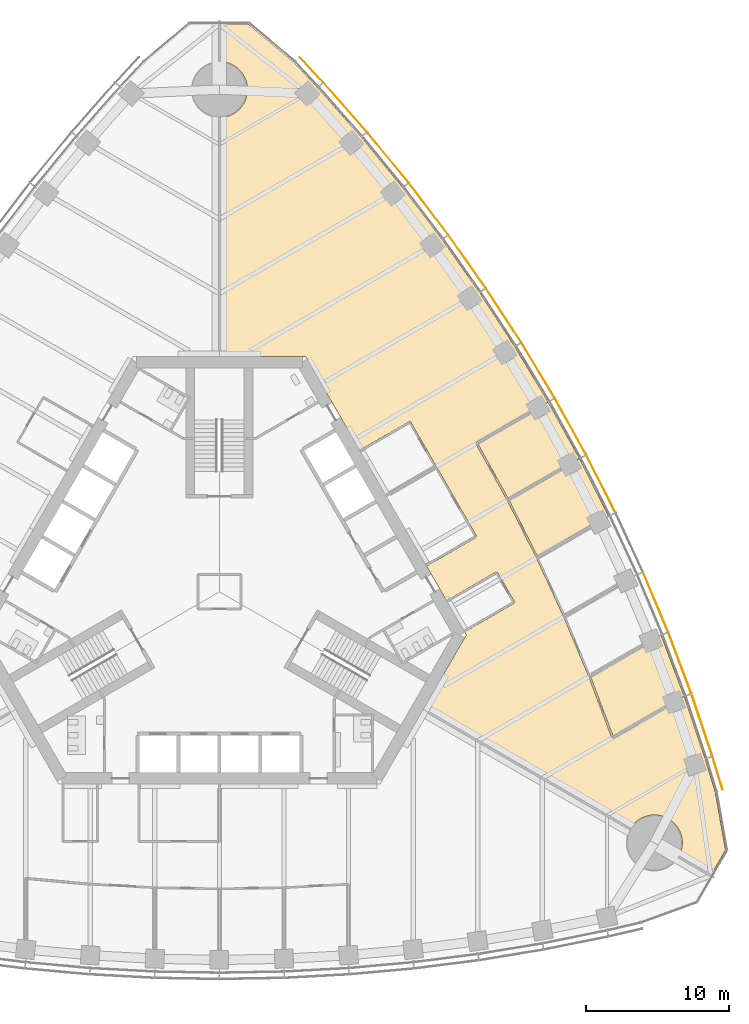
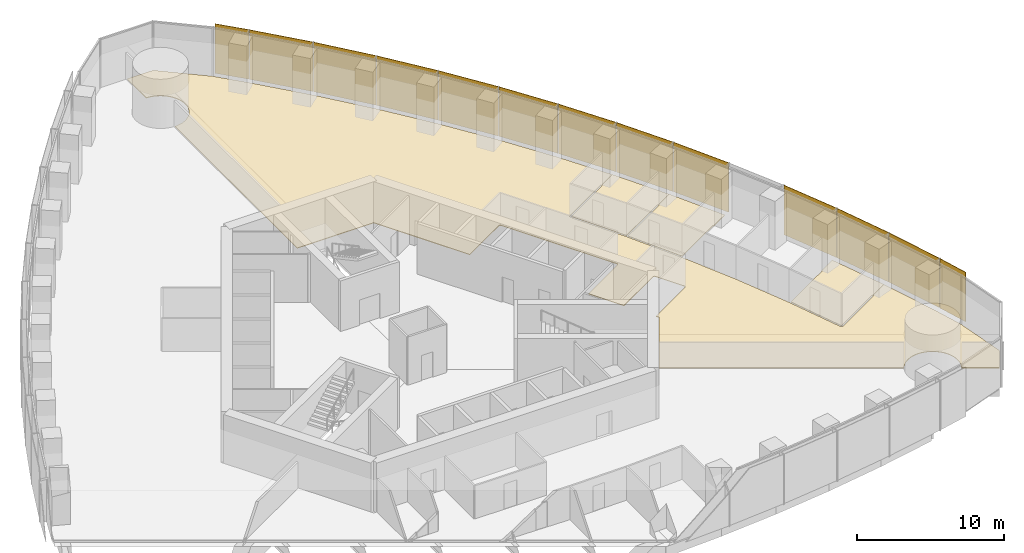
# One storey, part 17 of 19: 13 shading devices, 4 coverings.
"""IFC4 building model written with IfcOpenShell, lengths in metres."""

from ifc_helpers import new_model, si_unit, direction, frame, origin, origin_2d, place, context, subcontext, project, spatial, polyline, rectangle, outline, extrude, material, layer, layer_set, type_object, element, save


model = new_model("IFC4")

# Units and contexts
model_context = context("Model", 3, precision=1e-05, world=origin(), true_north=direction((0.0, 1.0)))
body_context = subcontext(model_context, "Body", "Model", "MODEL_VIEW")
ifc_project = project(units=[si_unit("LENGTHUNIT", "METRE"), si_unit("AREAUNIT", "SQUARE_METRE"), si_unit("VOLUMEUNIT", "CUBIC_METRE"), si_unit("PLANEANGLEUNIT", "RADIAN"), si_unit("MASSUNIT", "GRAM", prefix="KILO")], contexts=[model_context])

# Site, building, storey
site_placement = place(None, origin())
site = spatial("IfcSite", under=ifc_project, at=site_placement, CompositionType="ELEMENT")
building_placement = place(site_placement, origin())
building = spatial("IfcBuilding", under=site, at=building_placement, Name="Trefoil Bronze Tower", CompositionType="ELEMENT")
storey_placement = place(building_placement, frame((0.0, 0.0, 124.10009765625)))
storey = spatial("IfcBuildingStorey", under=building, at=storey_placement, Name="L28", CompositionType="ELEMENT", Elevation=124.10009765625)

# Shading devices
ifc_material_1 = material(Name="Perforated bronze sheet", Category="bronze")
ifc_layer_1 = layer(ifc_material_1, 0.0400390625)
ifc_layer_set_1 = layer_set([ifc_layer_1], Name="Bronze solar screen panel")
shading_device_type = type_object("IfcShadingDeviceType", Name="Bronze solar screen panel", PredefinedType="SHUTTER", material=ifc_layer_set_1)
shading_device_1_placement = place(storey_placement, frame((34.717529296875, -12.634765625, 0.0498046875), z_axis=(0.0, 0.0, 1.0), x_axis=(-0.291668676391, 0.956519410787, 0.0)))
element("IfcShadingDevice", 1, at=shading_device_1_placement, inside=storey, type_object=shading_device_type, Name="Solar screen CW-A L28 F2 bay 1", PredefinedType="SHUTTER", context=body_context, shape_type="SweptSolid", body=[
    extrude(rectangle(XDim=2.39013671875, YDim=0.0400390625, at=origin_2d()), origin(), (0.0, 0.0, 1.0), 4.10009765625),
])
shading_device_2_placement = place(storey_placement, frame((33.62890625, -9.286865234375, 0.0498046875), z_axis=(0.0, 0.0, 1.0), x_axis=(-0.318403749569, 0.947955195281, 0.0)))
element("IfcShadingDevice", 2, at=shading_device_2_placement, inside=storey, type_object=shading_device_type, Name="Solar screen CW-A L28 F2 bay 2", PredefinedType="SHUTTER", context=body_context, shape_type="SweptSolid", body=[
    extrude(rectangle(XDim=4.56103515625, YDim=0.0400390625, at=origin_2d()), origin(), (0.0, 0.0, 1.0), 4.10009765625),
])
shading_device_3_placement = place(storey_placement, frame((32.086669921875, -4.95849609375, 0.0498046875), z_axis=(0.0, 0.0, 1.0), x_axis=(-0.352919739707, 0.935653599002, 0.0)))
element("IfcShadingDevice", 3, at=shading_device_3_placement, inside=storey, type_object=shading_device_type, Name="Solar screen CW-A L28 F2 bay 3", PredefinedType="SHUTTER", context=body_context, shape_type="SweptSolid", body=[
    extrude(rectangle(XDim=4.5302734375, YDim=0.0400390625, at=origin_2d()), origin(), (0.0, 0.0, 1.0), 4.10009765625),
])
shading_device_4_placement = place(storey_placement, frame((30.3974609375, -0.715087890625, 0.0498046875), z_axis=(0.0, 0.0, 1.0), x_axis=(-0.386759234303, 0.922180727776, 0.0)))
element("IfcShadingDevice", 4, at=shading_device_4_placement, inside=storey, type_object=shading_device_type, Name="Solar screen CW-A L28 F2 bay 4", PredefinedType="SHUTTER", context=body_context, shape_type="SweptSolid", body=[
    extrude(rectangle(XDim=4.50634765625, YDim=0.0400390625, at=origin_2d()), origin(), (0.0, 0.0, 1.0), 4.10009765625),
])
shading_device_5_placement = place(storey_placement, frame((26.5869140625, 7.52197265625, 0.0498046875), z_axis=(0.0, 0.0, 1.0), x_axis=(-0.452448919686, 0.891790320128, 0.0)))
element("IfcShadingDevice", 5, at=shading_device_5_placement, inside=storey, type_object=shading_device_type, Name="Solar screen CW-A L28 F2 bay 6", PredefinedType="SHUTTER", context=body_context, shape_type="SweptSolid", body=[
    extrude(rectangle(XDim=4.4765625, YDim=0.0400390625, at=origin_2d()), origin(), (0.0, 0.0, 1.0), 4.10009765625),
])
for number, where, z_axis, x_axis, name in (
    (6, (24.468505859375, 11.517578125, 0.0498046875), (0.0, 0.0, 1.0), (-0.484312195836, 0.874895249138, 0.0), "Solar screen CW-A L28 F2 bay 7"),
    (7, (22.208740234375, 15.431396484375, 0.0498046875), (0.0, 0.0, 1.0), (-0.515525413486, 0.856874289526, 0.0), "Solar screen CW-A L28 F2 bay 8"),
):
    element("IfcShadingDevice", number, at=place(storey_placement, frame(where, z_axis=z_axis, x_axis=x_axis)), inside=storey, type_object=shading_device_type, Name=name, PredefinedType="SHUTTER", context=body_context, shape_type="SweptSolid", body=[
        extrude(rectangle(XDim=4.470703125, YDim=0.0400390625, at=origin_2d()), origin(), (0.0, 0.0, 1.0), 4.10009765625),
    ])
shading_device_6_placement = place(storey_placement, frame((19.8076171875, 19.263916015625, 0.0498046875), z_axis=(0.0, 0.0, 1.0), x_axis=(-0.546088612237, 0.837727418427, 0.0)))
element("IfcShadingDevice", 8, at=shading_device_6_placement, inside=storey, type_object=shading_device_type, Name="Solar screen CW-A L28 F2 bay 9", PredefinedType="SHUTTER", context=body_context, shape_type="SweptSolid", body=[
    extrude(rectangle(XDim=4.4765625, YDim=0.0400390625, at=origin_2d()), origin(), (0.0, 0.0, 1.0), 4.10009765625),
])
shading_device_7_placement = place(storey_placement, frame((17.264892578125, 23.014404296875, 0.0498046875), z_axis=(0.0, 0.0, 1.0), x_axis=(-0.575999283275, 0.817450197667, 0.0)))
element("IfcShadingDevice", 9, at=shading_device_7_placement, inside=storey, type_object=shading_device_type, Name="Solar screen CW-A L28 F2 bay 10", PredefinedType="SHUTTER", context=body_context, shape_type="SweptSolid", body=[
    extrude(rectangle(XDim=4.48828125, YDim=0.0400390625, at=origin_2d()), origin(), (0.0, 0.0, 1.0), 4.10009765625),
])
shading_device_8_placement = place(storey_placement, frame((14.579345703125, 26.6826171875, 0.0498046875), z_axis=(0.0, 0.0, 1.0), x_axis=(-0.605252319983, 0.796033685943, 0.0)))
element("IfcShadingDevice", 10, at=shading_device_8_placement, inside=storey, type_object=shading_device_type, Name="Solar screen CW-A L28 F2 bay 11", PredefinedType="SHUTTER", context=body_context, shape_type="SweptSolid", body=[
    extrude(rectangle(XDim=4.50634765625, YDim=0.0400390625, at=origin_2d()), origin(), (0.0, 0.0, 1.0), 4.10009765625),
])
shading_device_9_placement = place(storey_placement, frame((11.7490234375, 30.26708984375, 0.0498046875), z_axis=(0.0, 0.0, 1.0), x_axis=(-0.633839916024, 0.773464259584, 0.0)))
element("IfcShadingDevice", 11, at=shading_device_9_placement, inside=storey, type_object=shading_device_type, Name="Solar screen CW-A L28 F2 bay 12", PredefinedType="SHUTTER", context=body_context, shape_type="SweptSolid", body=[
    extrude(rectangle(XDim=4.5302734375, YDim=0.0400390625, at=origin_2d()), origin(), (0.0, 0.0, 1.0), 4.10009765625),
])
shading_device_10_placement = place(storey_placement, frame((8.77197265625, 33.766845703125, 0.0498046875), z_axis=(0.0, 0.0, 1.0), x_axis=(-0.661751405978, 0.749723333428, 0.0)))
element("IfcShadingDevice", 12, at=shading_device_10_placement, inside=storey, type_object=shading_device_type, Name="Solar screen CW-A L28 F2 bay 13", PredefinedType="SHUTTER", context=body_context, shape_type="SweptSolid", body=[
    extrude(rectangle(XDim=4.56103515625, YDim=0.0400390625, at=origin_2d()), origin(), (0.0, 0.0, 1.0), 4.10009765625),
])
shading_device_11_placement = place(storey_placement, frame((6.416748046875, 36.383544921875, 0.0498046875), z_axis=(0.0, 0.0, 1.0), x_axis=(-0.682535770759, 0.730852188636, 0.0)))
element("IfcShadingDevice", 13, at=shading_device_11_placement, inside=storey, type_object=shading_device_type, Name="Solar screen CW-A L28 F2 bay 14", PredefinedType="SHUTTER", context=body_context, shape_type="SweptSolid", body=[
    extrude(rectangle(XDim=2.39013671875, YDim=0.0400390625, at=origin_2d()), origin(), (0.0, 0.0, 1.0), 4.10009765625),
])

# Coverings
ifc_material_2 = material(Name="Raised access floor panels", Category="steel")
ifc_layer_2 = layer(ifc_material_2, 0.050048828125)
ifc_layer_set_2 = layer_set([ifc_layer_2], Name="Raised access floor 150")
covering_type = type_object("IfcCoveringType", Name="Raised access floor 150", PredefinedType="FLOORING", material=ifc_layer_set_2)
covering_1_placement = place(storey_placement, frame((0.0, 0.0, 0.099853515625)))
element("IfcCovering", 14, at=covering_1_placement, inside=storey, type_object=covering_type, Name="Raised floor L28 Office F2", PredefinedType="FLOORING", context=body_context, shape_type="SweptSolid", body=[
    extrude(outline(polyline([(22.906005859375, 13.224853515625), (25.085693359375, 9.287109375), (23.80322265625, 8.546630859375), (23.773193359375, 8.5986328125), (20.129150390625, 6.49462890625), (18.007568359375, 10.327392578125), (21.654296875, 12.432861328125), (21.62451171875, 12.48486328125), (22.906005859375, 13.224853515625)])), origin(), (0.0, 0.0, 1.0), 0.050048828125),
])
covering_2_placement = place(storey_placement, frame((0.0, 0.0, 0.099853515625)))
element("IfcCovering", 15, at=covering_2_placement, inside=storey, type_object=covering_type, Name="Raised floor L28 Office F2", PredefinedType="FLOORING", context=body_context, shape_type="SweptSolid", body=[
    extrude(outline(polyline([(25.085693359375, 9.287109375), (27.124755859375, 5.268310546875), (25.83984375, 4.5263671875), (25.809814453125, 4.578369140625), (22.170166015625, 2.476806640625), (20.185302734375, 6.388671875), (23.833251953125, 8.49462890625), (23.80322265625, 8.546630859375), (25.085693359375, 9.287109375)])), origin(), (0.0, 0.0, 1.0), 0.050048828125),
])
covering_3_placement = place(storey_placement, frame((0.0, 0.0, 0.099853515625)))
element("IfcCovering", 16, at=covering_3_placement, inside=storey, type_object=covering_type, Name="Raised floor L28 Office F2", PredefinedType="FLOORING", context=body_context, shape_type="SweptSolid", body=[
    extrude(outline(polyline([(30.776611328125, -3.015625), (32.385986328125, -7.28271484375), (31.083251953125, -8.034912109375), (31.05322265625, -7.98291015625), (27.437744140625, -10.0703125), (25.87109375, -5.917236328125), (29.511474609375, -3.8154296875), (29.4814453125, -3.763427734375), (30.776611328125, -3.015625)])), origin(), (0.0, 0.0, 1.0), 0.050048828125),
])
covering_4_placement = place(storey_placement, frame((0.0, 0.0, 0.099853515625)))
element("IfcCovering", 17, at=covering_4_placement, inside=storey, type_object=covering_type, Name="Raised floor L28 Open-plan office F2", PredefinedType="FLOORING", context=body_context, shape_type="SweptSolid", body=[
    extrude(outline(polyline([(20.585693359375, 17.081298828125), (22.906005859375, 13.224853515625), (21.62451171875, 12.48486328125), (21.594482421875, 12.536865234375), (17.896484375, 10.40185546875), (17.926513671875, 10.349853515625), (17.873779296875, 10.32080078125), (20.05322265625, 6.384033203125), (22.09130859375, 2.3671875), (23.98779296875, -1.731689453125), (25.7412109375, -5.912841796875), (27.350341796875, -10.1787109375), (27.406494140625, -10.15771484375), (27.4365234375, -10.209716796875), (31.11328125, -8.0869140625), (31.083251953125, -8.034912109375), (32.385986328125, -7.28271484375), (33.847900390625, -11.634765625), (34.5537109375, -13.94970703125), (35.2666015625, -17.99169921875), (34.247802734375, -19.755859375), (32.006103515625, -18.462646484375), (32.030517578125, -18.419189453125), (32.07373046875, -18.333740234375), (32.112548828125, -18.24609375), (32.14697265625, -18.156982421875), (32.177001953125, -18.066162109375), (32.202392578125, -17.973876953125), (32.223388671875, -17.88037109375), (32.23974609375, -17.7861328125), (32.25146484375, -17.691162109375), (32.258544921875, -17.595703125), (32.260986328125, -17.5), (32.258544921875, -17.404296875), (32.25146484375, -17.308837890625), (32.23974609375, -17.2138671875), (32.223388671875, -17.11962890625), (32.202392578125, -17.026123046875), (32.177001953125, -16.933837890625), (32.14697265625, -16.843017578125), (32.112548828125, -16.75390625), (32.07373046875, -16.666259765625), (32.030517578125, -16.580810546875), (31.9833984375, -16.49755859375), (31.932373046875, -16.41650390625), (31.877197265625, -16.33837890625), (31.818359375, -16.262939453125), (31.755615234375, -16.1904296875), (31.689697265625, -16.12109375), (31.620361328125, -16.05517578125), (31.548095703125, -15.99267578125), (31.472412109375, -15.93359375), (31.394287109375, -15.878662109375), (31.3134765625, -15.827392578125), (31.22998046875, -15.7802734375), (31.14453125, -15.7373046875), (31.05712890625, -15.698486328125), (30.9677734375, -15.6640625), (30.876953125, -15.634033203125), (30.78466796875, -15.6083984375), (30.69140625, -15.58740234375), (30.596923828125, -15.571044921875), (30.501953125, -15.559326171875), (30.406494140625, -15.55224609375), (30.310791015625, -15.550048828125), (30.215087890625, -15.55224609375), (30.119873046875, -15.559326171875), (30.02490234375, -15.571044921875), (29.930419921875, -15.58740234375), (29.837158203125, -15.6083984375), (29.744873046875, -15.634033203125), (29.654052734375, -15.6640625), (29.564697265625, -15.698486328125), (29.477294921875, -15.7373046875), (29.3916015625, -15.7802734375), (29.308349609375, -15.827392578125), (29.2275390625, -15.878662109375), (29.1494140625, -15.93359375), (29.07373046875, -15.99267578125), (29.001220703125, -16.05517578125), (28.931884765625, -16.12109375), (28.865966796875, -16.1904296875), (28.803466796875, -16.262939453125), (28.74462890625, -16.33837890625), (28.689453125, -16.41650390625), (28.628662109375, -16.514404296875), (14.205810546875, -8.194580078125), (17.205078125, -3.0), (17.084716796875, -2.79150390625), (20.548828125, -0.79150390625), (20.518798828125, -0.73974609375), (20.57080078125, -0.709716796875), (19.370849609375, 1.368896484375), (19.31884765625, 1.3388671875), (19.288818359375, 1.390625), (15.82470703125, -0.609375), (14.434814453125, 1.79833984375), (17.898681640625, 3.79833984375), (17.868896484375, 3.850341796875), (17.9208984375, 3.88037109375), (13.32080078125, 11.84765625), (13.268798828125, 11.817626953125), (13.23876953125, 11.86962890625), (9.774658203125, 9.86962890625), (6.00439453125, 16.39990234375), (0.006103515625, 16.39990234375), (0.012451171875, 33.05029296875), (0.095703125, 33.05224609375), (0.191162109375, 33.059326171875), (0.2861328125, 33.071044921875), (0.38037109375, 33.08740234375), (0.473876953125, 33.1083984375), (0.566162109375, 33.134033203125), (0.656982421875, 33.1640625), (0.74609375, 33.198486328125), (0.833740234375, 33.2373046875), (0.919189453125, 33.2802734375), (1.00244140625, 33.327392578125), (1.08349609375, 33.378662109375), (1.16162109375, 33.43359375), (1.237060546875, 33.49267578125), (1.3095703125, 33.55517578125), (1.37890625, 33.62109375), (1.44482421875, 33.6904296875), (1.50732421875, 33.762939453125), (1.56640625, 33.83837890625), (1.621337890625, 33.91650390625), (1.672607421875, 33.99755859375), (1.7197265625, 34.080810546875), (1.7626953125, 34.166259765625), (1.801513671875, 34.25390625), (1.8359375, 34.343017578125), (1.865966796875, 34.433837890625), (1.8916015625, 34.526123046875), (1.91259765625, 34.61962890625), (1.928955078125, 34.7138671875), (1.940673828125, 34.808837890625), (1.94775390625, 34.904296875), (1.949951171875, 35.0), (1.94775390625, 35.095703125), (1.940673828125, 35.191162109375), (1.928955078125, 35.2861328125), (1.91259765625, 35.38037109375), (1.8916015625, 35.473876953125), (1.865966796875, 35.566162109375), (1.8359375, 35.656982421875), (1.801513671875, 35.74609375), (1.7626953125, 35.833740234375), (1.7197265625, 35.919189453125), (1.672607421875, 36.00244140625), (1.621337890625, 36.08349609375), (1.56640625, 36.16162109375), (1.50732421875, 36.237060546875), (1.44482421875, 36.3095703125), (1.37890625, 36.37890625), (1.3095703125, 36.44482421875), (1.237060546875, 36.50732421875), (1.16162109375, 36.56640625), (1.08349609375, 36.621337890625), (1.00244140625, 36.672607421875), (0.919189453125, 36.7197265625), (0.833740234375, 36.7626953125), (0.74609375, 36.801513671875), (0.656982421875, 36.8359375), (0.566162109375, 36.865966796875), (0.473876953125, 36.8916015625), (0.38037109375, 36.91259765625), (0.2861328125, 36.928955078125), (0.191162109375, 36.940673828125), (0.095703125, 36.94775390625), (0.013916015625, 36.94970703125), (0.014892578125, 39.53759765625), (2.052001953125, 39.53759765625), (5.1962890625, 36.8994140625), (6.847900390625, 35.130615234375), (9.885986328125, 31.6884765625), (12.776611328125, 28.1611328125), (15.522216796875, 24.55029296875), (18.124755859375, 20.856689453125), (20.585693359375, 17.081298828125)])), origin(), (0.0, 0.0, 1.0), 0.050048828125),
])

save(model, "model.ifc")
